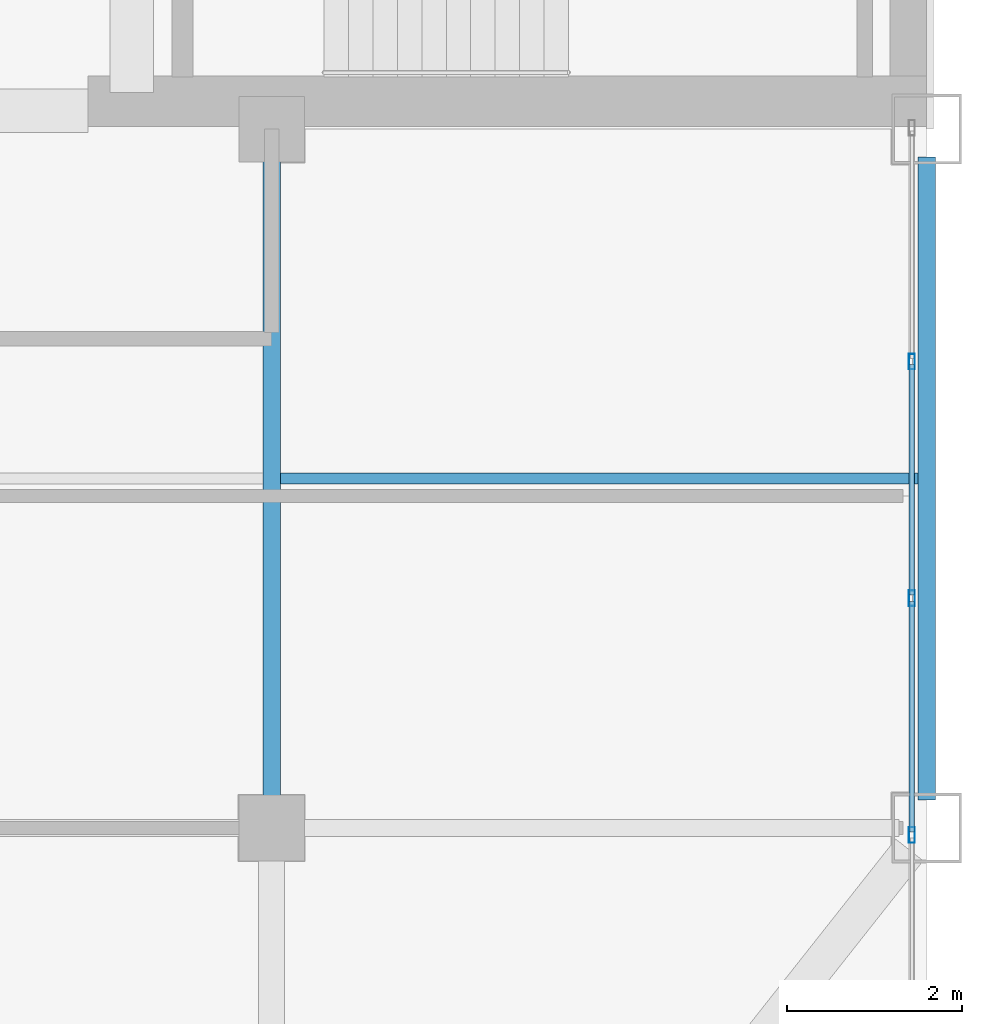
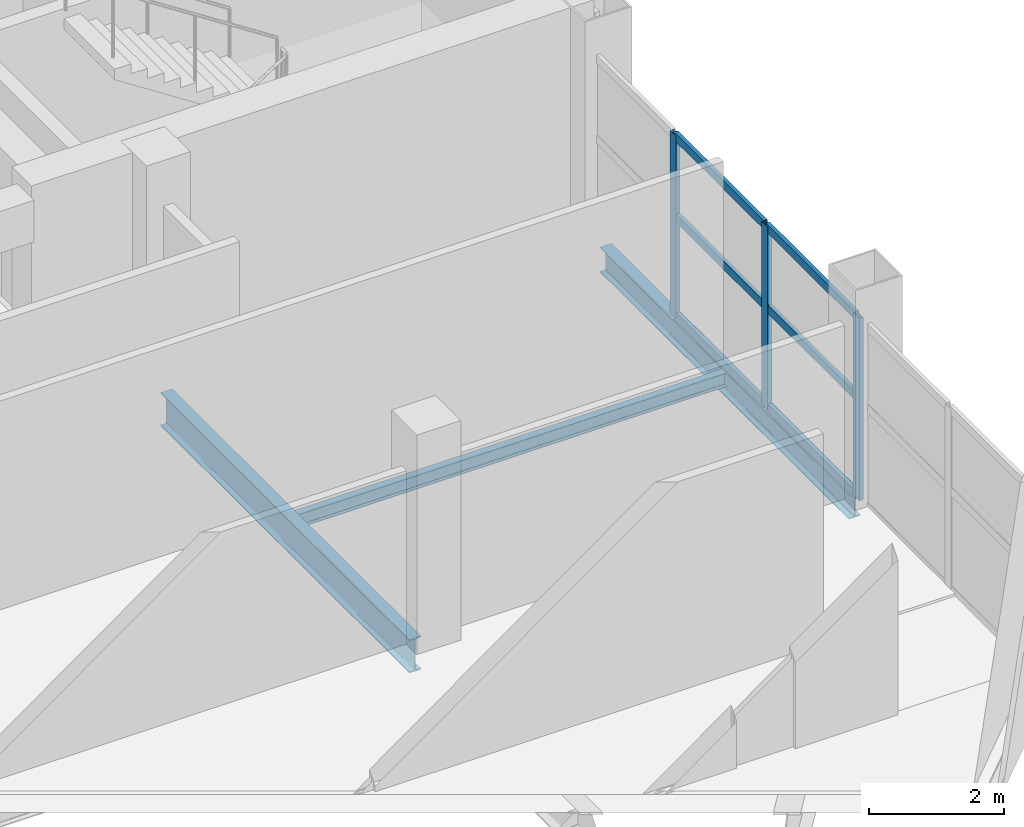
# One storey, part 4 of 13: 9 members, 3 beams, 1 element without a shape of its own.
"""IFC4 building model written with IfcOpenShell, lengths in metres."""

from ifc_helpers import new_model, si_unit, direction, frame, origin, origin_2d, place, context, subcontext, project, spatial, hollow_rectangle, i_section, extrude, material, layer, layer_set, material_profile, profile_set, type_object, element, aggregate, save


model = new_model("IFC4")

# Units and contexts
model_context = context("Model", 3, precision=1e-05, world=origin(), true_north=direction((0.0, 1.0)))
body_context = subcontext(model_context, "Body", "Model", "MODEL_VIEW")
ifc_project = project(units=[si_unit("LENGTHUNIT", "METRE"), si_unit("AREAUNIT", "SQUARE_METRE"), si_unit("VOLUMEUNIT", "CUBIC_METRE"), si_unit("PLANEANGLEUNIT", "RADIAN"), si_unit("MASSUNIT", "GRAM", prefix="KILO")], contexts=[model_context])

# Site, building, storey
site_placement = place(None, origin())
site = spatial("IfcSite", under=ifc_project, at=site_placement, CompositionType="ELEMENT")
building_placement = place(site_placement, origin())
building = spatial("IfcBuilding", under=site, at=building_placement, Name="Qianrong Seaharbour Tower", CompositionType="ELEMENT")
storey_placement = place(building_placement, frame((0.0, 0.0, 291.199951171875)))
storey = spatial("IfcBuildingStorey", under=building, at=storey_placement, Name="L70", CompositionType="ELEMENT", Elevation=291.199951171875)

# Beams
ifc_material_1 = material(Name="Structural steel SN490B", Category="steel")
ifc_material_profile_1 = material_profile(ifc_material_1, i_section(OverallWidth=0.199951171875, OverallDepth=0.60009765625, WebThickness=0.010986328125, FlangeThickness=0.01708984375, FilletRadius=0.02197265625, at=origin_2d()), Name="H600x200x11x17")
ifc_profile_set_1 = profile_set([ifc_material_profile_1], Name="Structural steel SN490B")
beam_type_1 = type_object("IfcBeamType", Name="BM-G-600", PredefinedType="BEAM", material=ifc_profile_set_1)
beam_1_placement = place(storey_placement, frame((56.5, 28.320068359375, -0.514892578125), z_axis=(0.0, 1.0, 0.0), x_axis=(-1.0, 0.0, 0.0)))
element("IfcBeam", 1, at=beam_1_placement, inside=storey, type_object=beam_type_1, Name="L70 Primary Girder G8 GE-GF", PredefinedType="BEAM", context=body_context, shape_type="SweptSolid", body=[
    extrude(i_section(OverallWidth=0.199951171875, OverallDepth=0.60009765625, WebThickness=0.010986328125, FlangeThickness=0.01708984375, FilletRadius=0.02197265625, at=origin_2d()), origin(), (0.0, 0.0, 1.0), 7.35986328125),
])
ifc_material_2 = material(Name="Structural steel SN400B", Category="steel")
ifc_material_profile_2 = material_profile(ifc_material_2, i_section(OverallWidth=0.125, OverallDepth=0.25, WebThickness=0.006103515625, FlangeThickness=0.009033203125, FilletRadius=0.011962890625, at=origin_2d()), Name="H250x125x6x9")
ifc_profile_set_2 = profile_set([ifc_material_profile_2], Name="Structural steel SN400B")
beam_type_2 = type_object("IfcBeamType", Name="BM-J-250", PredefinedType="JOIST", material=ifc_profile_set_2)
beam_2_placement = place(storey_placement, frame((56.60009765625, 32.0, -0.33984375), z_axis=(1.0, 0.0, 0.0), x_axis=(0.0, 1.0, 0.0)))
element("IfcBeam", 2, at=beam_2_placement, inside=storey, type_object=beam_type_2, Name="L70 Composite Floor Joist G8-G9/GE-GF", PredefinedType="JOIST", context=body_context, shape_type="SweptSolid", body=[
    extrude(i_section(OverallWidth=0.125, OverallDepth=0.25, WebThickness=0.006103515625, FlangeThickness=0.009033203125, FilletRadius=0.011962890625, at=origin_2d()), origin(), (0.0, 0.0, 1.0), 7.2998046875),
])
ifc_material_profile_3 = material_profile(ifc_material_2, i_section(OverallWidth=0.199951171875, OverallDepth=0.449951171875, WebThickness=0.009033203125, FlangeThickness=0.013916015625, FilletRadius=0.01806640625, at=origin_2d()), Name="H450x200x9x14")
ifc_profile_set_3 = profile_set([ifc_material_profile_3], Name="Structural steel SN400B")
beam_type_3 = type_object("IfcBeamType", Name="BM-SP-450", PredefinedType="SPANDREL", material=ifc_profile_set_3)
beam_3_placement = place(storey_placement, frame((64.0, 28.320068359375, -0.43994140625), z_axis=(0.0, 1.0, 0.0), x_axis=(-1.0, 0.0, 0.0)))
element("IfcBeam", 3, at=beam_3_placement, inside=storey, type_object=beam_type_3, Name="L70 Spandrel Girder G9 GE-GF", PredefinedType="SPANDREL", context=body_context, shape_type="SweptSolid", body=[
    extrude(i_section(OverallWidth=0.199951171875, OverallDepth=0.449951171875, WebThickness=0.009033203125, FlangeThickness=0.013916015625, FilletRadius=0.01806640625, at=origin_2d()), origin(), (0.0, 0.0, 1.0), 7.35986328125),
])

# Curtain wall, members
ifc_material_3 = material(Name="Anodised aluminium 6063-T6 and laminated low-e glass", Category="aluminium")
ifc_layer = layer(ifc_material_3, 0.195068359375)
ifc_layer_set = layer_set([ifc_layer], Name="Anodised aluminium 6063-T6 and laminated low-e glass")
curtain_wall_type = type_object("IfcCurtainWallType", Name="CW-SYS-3", PredefinedType="NOTDEFINED", material=ifc_layer_set)
curtain_wall_placement = place(storey_placement, origin())
curtain_wall = element("IfcCurtainWall", 4, at=curtain_wall_placement, inside=storey, type_object=curtain_wall_type, Name="L70 Sky-Garden Wintergarden Curtain Wall EAST_WING", PredefinedType="NOTDEFINED")
ifc_material_4 = material(Name="Extruded aluminium 6063-T6", Category="aluminium")
ifc_material_profile_4 = material_profile(ifc_material_4, hollow_rectangle(XDim=0.070068359375, YDim=0.179931640625, WallThickness=0.00390625, at=origin_2d()), Name="ALU-MUL-180x70x4")
ifc_profile_set_4 = profile_set([ifc_material_profile_4], Name="Extruded aluminium 6063-T6")
member_type_1 = type_object("IfcMemberType", Name="CW-MUL-180", PredefinedType="MULLION", material=ifc_profile_set_4)
member_1_placement = place(storey_placement, frame((63.830078125, 33.340087890625, 0.0), z_axis=(0.0, 0.0, 1.0), x_axis=(1.0, 0.0, 0.0)))
member_1 = element("IfcMember", 5, at=member_1_placement, type_object=member_type_1, Name="CW-3 mullion 2", PredefinedType="MULLION", context=body_context, shape_type="SweptSolid", body=[
    extrude(hollow_rectangle(XDim=0.070068359375, YDim=0.179931640625, WallThickness=0.00390625, at=origin_2d()), origin(), (0.0, 0.0, 1.0), 3.295166015625),
])
member_2_placement = place(storey_placement, frame((63.830078125, 30.6298828125, 0.0), z_axis=(0.0, 0.0, 1.0), x_axis=(1.0, 0.0, 0.0)))
member_2 = element("IfcMember", 6, at=member_2_placement, type_object=member_type_1, Name="CW-3 mullion 3", PredefinedType="MULLION", context=body_context, shape_type="SweptSolid", body=[
    extrude(hollow_rectangle(XDim=0.070068359375, YDim=0.179931640625, WallThickness=0.00390625, at=origin_2d()), origin(), (0.0, 0.0, 1.0), 3.295166015625),
])
member_3_placement = place(storey_placement, frame((63.830078125, 27.919921875, 0.0), z_axis=(0.0, 0.0, 1.0), x_axis=(1.0, 0.0, 0.0)))
member_3 = element("IfcMember", 7, at=member_3_placement, type_object=member_type_1, Name="CW-3 mullion 4", PredefinedType="MULLION", context=body_context, shape_type="SweptSolid", body=[
    extrude(hollow_rectangle(XDim=0.070068359375, YDim=0.179931640625, WallThickness=0.00390625, at=origin_2d()), origin(), (0.0, 0.0, 1.0), 3.295166015625),
])
ifc_material_profile_5 = material_profile(ifc_material_4, hollow_rectangle(XDim=0.06494140625, YDim=0.14990234375, WallThickness=0.00390625, at=origin_2d()), Name="ALU-TRN-150x65x4")
ifc_profile_set_5 = profile_set([ifc_material_profile_5], Name="Extruded aluminium 6063-T6")
member_type_2 = type_object("IfcMemberType", Name="CW-TRN-150", PredefinedType="USERDEFINED", material=ifc_profile_set_5)
member_4_placement = place(storey_placement, frame((63.830078125, 33.304931640625, 0.032470703125), z_axis=(0.0, -1.0, 0.0), x_axis=(1.0, 0.0, 0.0)))
member_4 = element("IfcMember", 8, at=member_4_placement, type_object=member_type_2, Name="CW-3 transom 2.1", ObjectType="TRANSOM", PredefinedType="USERDEFINED", context=body_context, shape_type="SweptSolid", body=[
    extrude(hollow_rectangle(XDim=0.06494140625, YDim=0.14990234375, WallThickness=0.00390625, at=origin_2d()), origin(), (0.0, 0.0, 1.0), 2.639892578125),
])
member_5_placement = place(storey_placement, frame((63.830078125, 33.304931640625, 1.812255859375), z_axis=(0.0, -1.0, 0.0), x_axis=(1.0, 0.0, 0.0)))
member_5 = element("IfcMember", 9, at=member_5_placement, type_object=member_type_2, Name="CW-3 transom 2.2", ObjectType="TRANSOM", PredefinedType="USERDEFINED", context=body_context, shape_type="SweptSolid", body=[
    extrude(hollow_rectangle(XDim=0.06494140625, YDim=0.14990234375, WallThickness=0.00390625, at=origin_2d()), origin(), (0.0, 0.0, 1.0), 2.639892578125),
])
member_6_placement = place(storey_placement, frame((63.830078125, 33.304931640625, 3.262451171875), z_axis=(0.0, -1.0, 0.0), x_axis=(1.0, 0.0, 0.0)))
member_6 = element("IfcMember", 10, at=member_6_placement, type_object=member_type_2, Name="CW-3 transom 2.3", ObjectType="TRANSOM", PredefinedType="USERDEFINED", context=body_context, shape_type="SweptSolid", body=[
    extrude(hollow_rectangle(XDim=0.06494140625, YDim=0.14990234375, WallThickness=0.00390625, at=origin_2d()), origin(), (0.0, 0.0, 1.0), 2.639892578125),
])
member_7_placement = place(storey_placement, frame((63.830078125, 30.594970703125, 0.032470703125), z_axis=(0.0, -1.0, 0.0), x_axis=(1.0, 0.0, 0.0)))
member_7 = element("IfcMember", 11, at=member_7_placement, type_object=member_type_2, Name="CW-3 transom 3.1", ObjectType="TRANSOM", PredefinedType="USERDEFINED", context=body_context, shape_type="SweptSolid", body=[
    extrude(hollow_rectangle(XDim=0.06494140625, YDim=0.14990234375, WallThickness=0.00390625, at=origin_2d()), origin(), (0.0, 0.0, 1.0), 2.639892578125),
])
member_8_placement = place(storey_placement, frame((63.830078125, 30.594970703125, 1.812255859375), z_axis=(0.0, -1.0, 0.0), x_axis=(1.0, 0.0, 0.0)))
member_8 = element("IfcMember", 12, at=member_8_placement, type_object=member_type_2, Name="CW-3 transom 3.2", ObjectType="TRANSOM", PredefinedType="USERDEFINED", context=body_context, shape_type="SweptSolid", body=[
    extrude(hollow_rectangle(XDim=0.06494140625, YDim=0.14990234375, WallThickness=0.00390625, at=origin_2d()), origin(), (0.0, 0.0, 1.0), 2.639892578125),
])
member_9_placement = place(storey_placement, frame((63.830078125, 30.594970703125, 3.262451171875), z_axis=(0.0, -1.0, 0.0), x_axis=(1.0, 0.0, 0.0)))
member_9 = element("IfcMember", 13, at=member_9_placement, type_object=member_type_2, Name="CW-3 transom 3.3", ObjectType="TRANSOM", PredefinedType="USERDEFINED", context=body_context, shape_type="SweptSolid", body=[
    extrude(hollow_rectangle(XDim=0.06494140625, YDim=0.14990234375, WallThickness=0.00390625, at=origin_2d()), origin(), (0.0, 0.0, 1.0), 2.639892578125),
])
aggregate(curtain_wall, [member_1, member_2, member_3, member_4, member_5, member_6, member_7, member_8, member_9])

save(model, "model.ifc")
